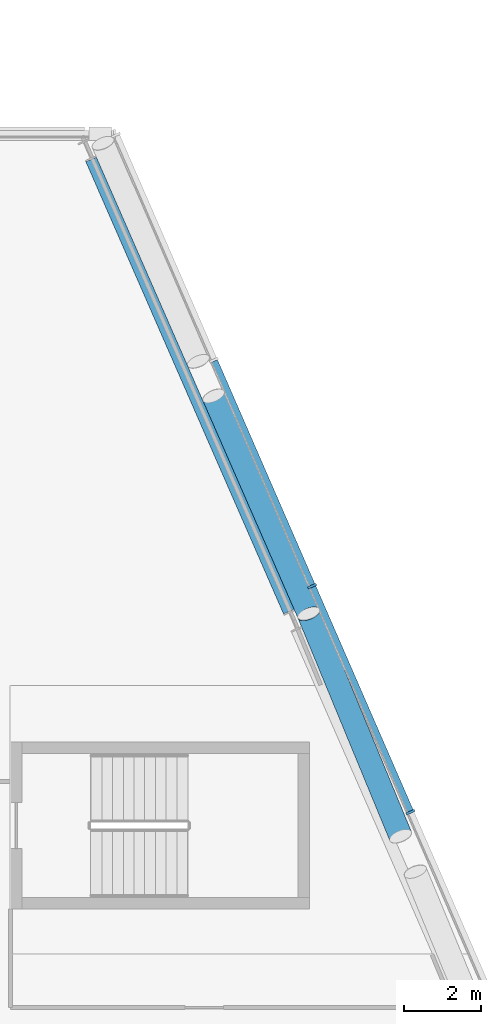
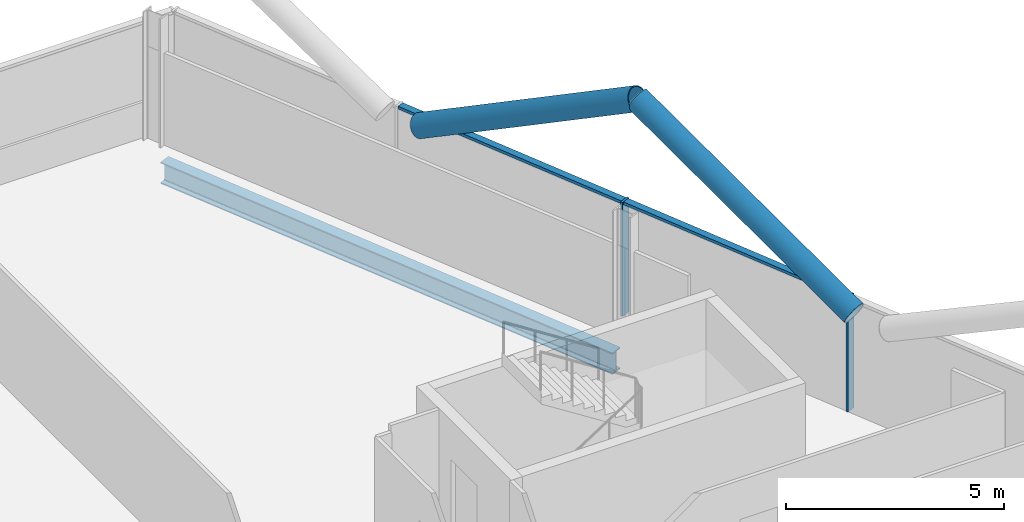
# One storey, part 9 of 26: 6 members, 1 beam, 1 element without a shape of its own.
"""IFC4 building model written with IfcOpenShell, lengths in metres."""

from ifc_helpers import new_model, si_unit, direction, frame, origin, origin_2d, place, context, subcontext, project, spatial, rectangle, hollow_circle, i_section, extrude, material, material_profile, profile_set, type_object, element, aggregate, save


model = new_model("IFC4")

# Units and contexts
model_context = context("Model", 3, precision=1e-05, world=origin(), true_north=direction((0.0, 1.0)))
body_context = subcontext(model_context, "Body", "Model", "MODEL_VIEW")
ifc_project = project(units=[si_unit("LENGTHUNIT", "METRE"), si_unit("AREAUNIT", "SQUARE_METRE"), si_unit("VOLUMEUNIT", "CUBIC_METRE"), si_unit("PLANEANGLEUNIT", "RADIAN"), si_unit("MASSUNIT", "GRAM", prefix="KILO")], contexts=[model_context])

# Site, building, storey
site_placement = place(None, origin())
site = spatial("IfcSite", under=ifc_project, at=site_placement, CompositionType="ELEMENT")
building_placement = place(site_placement, origin())
building = spatial("IfcBuilding", under=site, at=building_placement, Name="Wharfspan Tower", CompositionType="ELEMENT")
storey_placement = place(building_placement, frame((0.0, 0.0, 214.300049)))
storey = spatial("IfcBuildingStorey", under=building, at=storey_placement, Name="L53", CompositionType="ELEMENT", Elevation=214.300049)

# Beam
ifc_material_1 = material(Name="Steel S355J2", Category="steel")
ifc_material_profile_1 = material_profile(ifc_material_1, i_section(OverallWidth=0.300049, OverallDepth=0.600098, WebThickness=0.015381, FlangeThickness=0.030029, FilletRadius=0.0271, at=origin_2d()))
ifc_profile_set_1 = profile_set([ifc_material_profile_1], Name="Steel S355J2")
beam_type = type_object("IfcBeamType", Name="Edge beam HEB 600", PredefinedType="SPANDREL", material=ifc_profile_set_1)
beam_placement = place(storey_placement, frame((74.13208, 29.53125, -0.699951), z_axis=(-0.400619, 0.916245, 0.0), x_axis=(-0.916245, -0.400619, 0.0)))
element("IfcBeam", 1, at=beam_placement, inside=storey, type_object=beam_type, Name="Edge beam E L53 PE.2 to PE.3", PredefinedType="SPANDREL", context=body_context, shape_type="SweptSolid", body=[
    extrude(i_section(OverallWidth=0.300049, OverallDepth=0.600098, WebThickness=0.015381, FlangeThickness=0.030029, FilletRadius=0.0271, at=origin_2d()), origin(), (0.0, 0.0, 1.0), 12.883545),
])

# Curtain wall, members
ifc_material_2 = material(Name="Aluminium 6063-T6", Category="aluminium")
curtain_wall_type = type_object("IfcCurtainWallType", Name="CURTAIN WALL PROW AND END", PredefinedType="NOTDEFINED", material=ifc_material_2)
curtain_wall_placement = place(storey_placement, origin())
curtain_wall = element("IfcCurtainWall", 2, at=curtain_wall_placement, inside=storey, type_object=curtain_wall_type, Name="Curtain wall E", PredefinedType="NOTDEFINED")
ifc_material_profile_2 = material_profile(ifc_material_2, rectangle(XDim=0.23999, YDim=0.060059, at=origin_2d()))
ifc_profile_set_2 = profile_set([ifc_material_profile_2], Name="Aluminium 6063-T6")
member_type_1 = type_object("IfcMemberType", Name="MULLION PROW AND END 60x240", PredefinedType="MULLION", material=ifc_profile_set_2)
member_1_placement = place(storey_placement, frame((77.304443, 24.300049, 0.0), z_axis=(0.0, 0.0, 1.0), x_axis=(-0.917072, -0.398727, 0.0)))
member_1 = element("IfcMember", 3, at=member_1_placement, type_object=member_type_1, Name="Curtain wall E mullion 4", PredefinedType="MULLION", context=body_context, shape_type="SweptSolid", body=[
    extrude(rectangle(XDim=0.23999, YDim=0.060059, at=origin_2d()), origin(), (0.0, 0.0, 1.0), 3.199951),
])
member_2_placement = place(storey_placement, frame((74.739014, 30.199951, 0.0), z_axis=(0.0, 0.0, 1.0), x_axis=(-0.917072, -0.398727, 0.0)))
member_2 = element("IfcMember", 4, at=member_2_placement, type_object=member_type_1, Name="Curtain wall E mullion 5", PredefinedType="MULLION", context=body_context, shape_type="SweptSolid", body=[
    extrude(rectangle(XDim=0.23999, YDim=0.060059, at=origin_2d()), origin(), (0.0, 0.0, 1.0), 3.199951),
])

# Members
ifc_material_3 = material(Name="Steel S460NH", Category="steel")
ifc_material_profile_3 = material_profile(ifc_material_3, hollow_circle(Radius=0.304932, WallThickness=0.024902, at=origin_2d()))
ifc_profile_set_3 = profile_set([ifc_material_profile_3], Name="Steel S460NH")
member_type_2 = type_object("IfcMemberType", Name="Mega brace CHS 610x25", PredefinedType="BRACE", material=ifc_profile_set_3)
member_3_placement = place(storey_placement, frame((77.047607, 23.675049, 3.167236), z_axis=(-0.337032, 0.816367, 0.468993), x_axis=(-0.92433, -0.381605, 2e-06)))
element("IfcMember", 5, at=member_3_placement, inside=storey, type_object=member_type_2, Name="Mega brace E5 L53 part 2", PredefinedType="BRACE", context=body_context, shape_type="SweptSolid", body=[
    extrude(hollow_circle(Radius=0.304932, WallThickness=0.024902, at=origin_2d()), origin(), (0.0, 0.0, 1.0), 7.106201),
])
member_4_placement = place(storey_placement, frame((72.16748, 35.160156, 3.166504), z_axis=(0.352883, -0.8071, 0.473353), x_axis=(0.916253, 0.400609, 3e-06)))
element("IfcMember", 6, at=member_4_placement, inside=storey, type_object=member_type_2, Name="Mega brace E6 L53 part 4", PredefinedType="BRACE", context=body_context, shape_type="SweptSolid", body=[
    extrude(hollow_circle(Radius=0.304932, WallThickness=0.024902, at=origin_2d()), origin(), (0.0, 0.0, 1.0), 7.042236),
])

# Member
ifc_material_profile_4 = material_profile(ifc_material_2, rectangle(XDim=0.179932, YDim=0.080078, at=origin_2d()))
ifc_profile_set_4 = profile_set([ifc_material_profile_4], Name="Aluminium 6063-T6")
member_type_3 = type_object("IfcMemberType", Name="TRANSOM PROW AND END 80x180", PredefinedType="USERDEFINED", material=ifc_profile_set_4)
member_5_placement = place(storey_placement, frame((77.29248, 24.327393, 3.159912), z_axis=(-0.39874, 0.917064, 0.0), x_axis=(-0.917064, -0.39874, 0.0)))
member_5 = element("IfcMember", 7, at=member_5_placement, type_object=member_type_3, Name="Curtain wall E transom 4", ObjectType="TRANSOM", PredefinedType="USERDEFINED", context=body_context, shape_type="SweptSolid", body=[
    extrude(rectangle(XDim=0.179932, YDim=0.080078, at=origin_2d()), origin(), (0.0, 0.0, 1.0), 6.373779),
])

member_6_placement = place(storey_placement, frame((74.727051, 30.227539, 3.159912), z_axis=(-0.398722, 0.917072, 0.0), x_axis=(-0.917072, -0.398722, 0.0)))
member_6 = element("IfcMember", 8, at=member_6_placement, type_object=member_type_3, Name="Curtain wall E transom 5", ObjectType="TRANSOM", PredefinedType="USERDEFINED", context=body_context, shape_type="SweptSolid", body=[
    extrude(rectangle(XDim=0.179932, YDim=0.080078, at=origin_2d()), origin(), (0.0, 0.0, 1.0), 6.373535),
])

aggregate(curtain_wall, [member_1, member_2, member_5, member_6])

save(model, "model.ifc")
